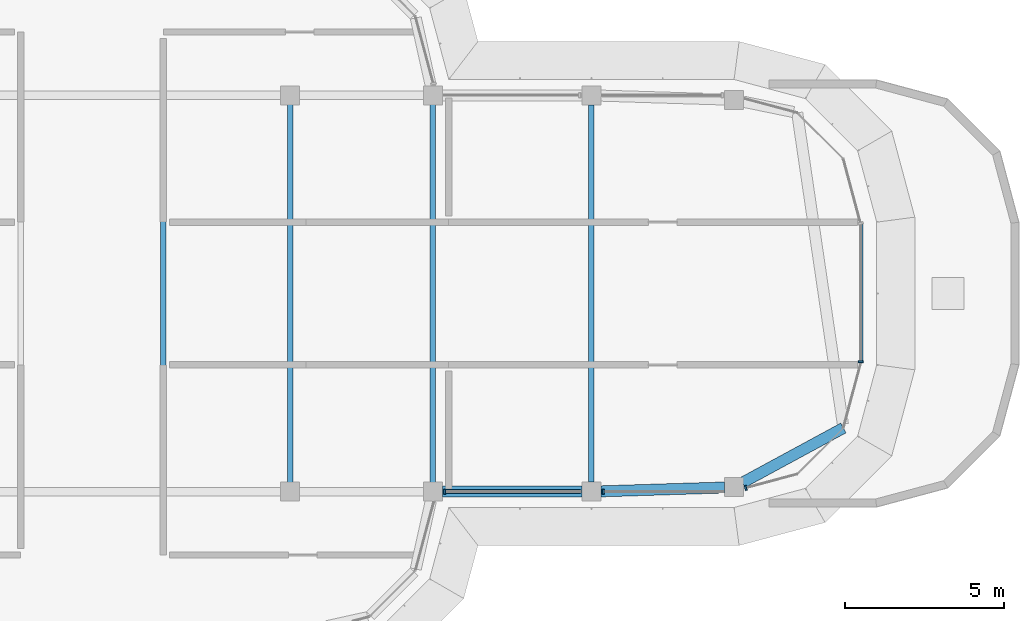
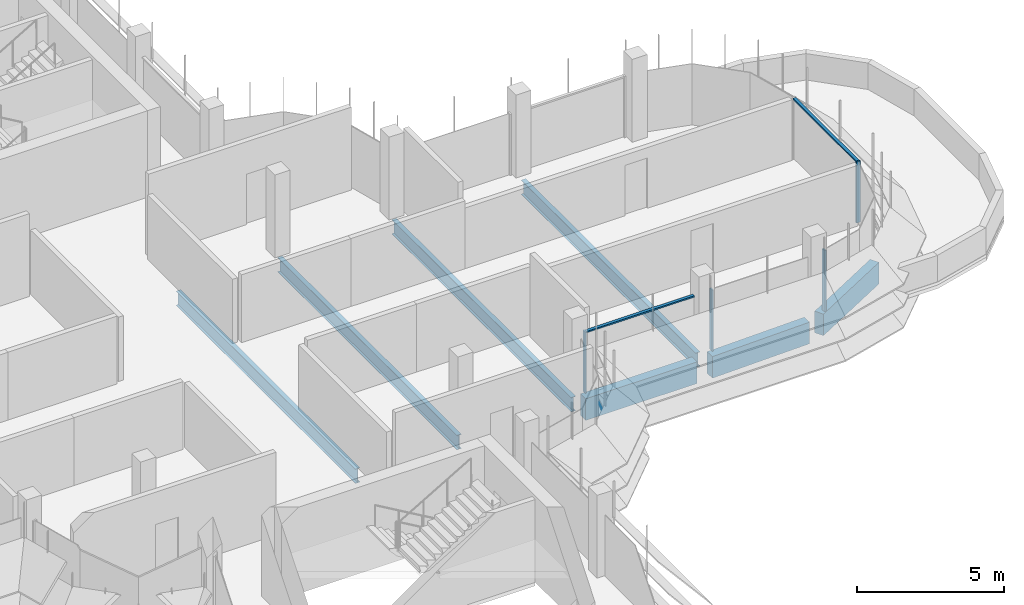
# One storey, part 5 of 20: 7 beams, 6 members, 3 elements without a shape of their own.
"""IFC4 building model written with IfcOpenShell, lengths in metres."""

from ifc_helpers import new_model, si_unit, direction, frame, origin, origin_2d, place, context, subcontext, project, spatial, polyline, rectangle, i_section, outline, extrude, source, transform, mapped, material, material_profile, profile_set, type_object, element, aggregate, save


model = new_model("IFC4")

# Units and contexts
model_context = context("Model", 3, precision=1e-05, world=origin(), true_north=direction((0.0, 1.0)))
body_context = subcontext(model_context, "Body", "Model", "MODEL_VIEW")
ifc_project = project(units=[si_unit("LENGTHUNIT", "METRE"), si_unit("AREAUNIT", "SQUARE_METRE"), si_unit("VOLUMEUNIT", "CUBIC_METRE"), si_unit("PLANEANGLEUNIT", "RADIAN"), si_unit("MASSUNIT", "GRAM", prefix="KILO")], contexts=[model_context])

# Site, building, storey
site_placement = place(None, origin())
site = spatial("IfcSite", under=ifc_project, at=site_placement, CompositionType="ELEMENT")
building_placement = place(site_placement, origin())
building = spatial("IfcBuilding", under=site, at=building_placement, Name="Zarbagh Exchange Tower", CompositionType="ELEMENT")
storey_placement = place(building_placement, frame((0.0, 0.0, 291.60009765625)))
storey = spatial("IfcBuildingStorey", under=building, at=storey_placement, Name="L71", CompositionType="ELEMENT", Elevation=291.60009765625)

# Beams
ifc_material_1 = material(Name="Steel ASTM A992 Gr 50", Category="steel")
ifc_material_profile_1 = material_profile(ifc_material_1, i_section(OverallWidth=0.1787109375, OverallDepth=0.60205078125, WebThickness=0.010986328125, FlangeThickness=0.014892578125, at=origin_2d()), Name="W24X62")
ifc_profile_set_1 = profile_set([ifc_material_profile_1], Name="Steel ASTM A992 Gr 50")
beam_type_1 = type_object("IfcBeamType", Name="Floor beam W24X62", PredefinedType="BEAM", material=ifc_profile_set_1)
for number, where, z_axis, x_axis, name in (
    (1, (2.25, -6.117919921875, -0.451171875), (0.0, 1.0, 0.0), (-1.0, 0.0, 0.0), "Steel floor beam"),
    (2, (6.25, -6.117919921875, -0.451171875), (0.0, 1.0, 0.0), (-1.0, 0.0, 0.0), "Steel floor beam"),
    (3, (10.75, -6.117919921875, -0.451171875), (0.0, 1.0, 0.0), (-1.0, 0.0, 0.0), "Steel floor beam"),
):
    element("IfcBeam", number, at=place(storey_placement, frame(where, z_axis=z_axis, x_axis=x_axis)), inside=storey, type_object=beam_type_1, Name=name, PredefinedType="BEAM", context=body_context, shape_type="SweptSolid", body=[
        extrude(i_section(OverallWidth=0.1787109375, OverallDepth=0.60205078125, WebThickness=0.010986328125, FlangeThickness=0.014892578125, at=origin_2d()), origin(), (0.0, 0.0, 1.0), 12.23583984375),
    ])
beam_1_placement = place(storey_placement, frame((15.75, -5.949951171875, -0.451171875), z_axis=(0.0, 1.0, 0.0), x_axis=(-1.0, 0.0, 0.0)))
element("IfcBeam", 4, at=beam_1_placement, inside=storey, type_object=beam_type_1, Name="Steel floor beam", PredefinedType="BEAM", context=body_context, shape_type="SweptSolid", body=[
    extrude(i_section(OverallWidth=0.1787109375, OverallDepth=0.60205078125, WebThickness=0.010986328125, FlangeThickness=0.014892578125, at=origin_2d()), origin(), (0.0, 0.0, 1.0), 11.89990234375),
])
ifc_material_2 = material(Name="Concrete C40/50", Category="concrete")
ifc_material_profile_2 = material_profile(ifc_material_2, rectangle(XDim=0.35009765625, YDim=0.89990234375, at=origin_2d()), Name="RC spandrel beam 350 x 900 C40/50")
ifc_profile_set_2 = profile_set([ifc_material_profile_2], Name="Concrete C40/50")
beam_type_2 = type_object("IfcBeamType", Name="RC spandrel beam 350 x 900 C40/50", PredefinedType="SPANDREL", material=ifc_profile_set_2)
beam_2_placement = place(storey_placement, frame((23.69873046875, -4.2412109375, -0.60009765625), z_axis=(-0.879208451731, -0.476437297454, 0.0), x_axis=(0.476437297454, -0.879208451731, 0.0)))
element("IfcBeam", 5, at=beam_2_placement, inside=storey, type_object=beam_type_2, Name="RC spandrel beam", PredefinedType="SPANDREL", context=body_context, shape_type="SweptSolid", body=[
    extrude(rectangle(XDim=0.35009765625, YDim=0.89990234375, at=origin_2d()), origin(), (0.0, 0.0, 1.0), 3.622314453125),
])
beam_3_placement = place(storey_placement, frame((19.9501953125, -6.119384765625, -0.60009765625), z_axis=(-0.999516460907, -0.031094121249, 0.0), x_axis=(0.031094121249, -0.999516460907, 0.0)))
element("IfcBeam", 6, at=beam_3_placement, inside=storey, type_object=beam_type_2, Name="RC spandrel beam", PredefinedType="SPANDREL", context=body_context, shape_type="SweptSolid", body=[
    extrude(rectangle(XDim=0.35009765625, YDim=0.89990234375, at=origin_2d()), origin(), (0.0, 0.0, 1.0), 3.90234375),
])
beam_4_placement = place(storey_placement, frame((15.449951171875, -6.25, -0.60009765625), z_axis=(-1.0, 0.0, 0.0), x_axis=(0.0, -1.0, 0.0)))
element("IfcBeam", 7, at=beam_4_placement, inside=storey, type_object=beam_type_2, Name="RC spandrel beam", PredefinedType="SPANDREL", context=body_context, shape_type="SweptSolid", body=[
    extrude(rectangle(XDim=0.35009765625, YDim=0.89990234375, at=origin_2d()), origin(), (0.0, 0.0, 1.0), 4.39990234375),
])

# Curtain wall, member
ifc_material_3 = material(Name="Anodised aluminium frame and glazing", Category="aluminium")
curtain_wall_type = type_object("IfcCurtainWallType", Name="CWF Crown tier glazing", PredefinedType="NOTDEFINED", material=ifc_material_3)
curtain_wall_1_placement = place(storey_placement, origin())
curtain_wall_1 = element("IfcCurtainWall", 8, at=curtain_wall_1_placement, inside=storey, type_object=curtain_wall_type, Name="CWF12 curtain wall", PredefinedType="NOTDEFINED")
ifc_material_4 = material(Name="Anodised aluminium frame", Category="aluminium")
member_type_1 = type_object("IfcMemberType", Name="TRF Transom, anodised aluminium frame", PredefinedType="USERDEFINED", material=ifc_material_4)
shared_shape_1 = source(origin(), body_context, "Body", "SweptSolid", [
    extrude(outline(polyline([(-0.06005859375, -0.06005859375), (0.0, -0.06005859375), (0.0, 0.06005859375), (-0.06005859375, 0.06005859375), (-0.06005859375, -0.06005859375)])), origin(), (0.0, 0.0, 1.0), 4.308349609375),
])
placement = place(storey_placement, origin())
member_1 = element("IfcMember", 9, at=placement, type_object=member_type_1, Name="CWF12 transom 1.1", ObjectType="TRANSOM", PredefinedType="USERDEFINED", context=body_context, shape_type="MappedRepresentation", body=[
    mapped(shared_shape_1, transform((24.25, -2.124267578125, 2.5498046875), x_axis=(0.0, 0.0, 1.0), y_axis=(1.0, 0.0, 0.0), z_axis=(0.0, 1.0, 0.0))),
])

# Curtain wall, members
curtain_wall_2_placement = place(storey_placement, origin())
curtain_wall_2 = element("IfcCurtainWall", 10, at=curtain_wall_2_placement, inside=storey, type_object=curtain_wall_type, Name="CWF08 curtain wall", PredefinedType="NOTDEFINED")
shared_shape_2 = source(origin(), body_context, "Body", "SweptSolid", [
    extrude(outline(polyline([(-0.06005859375, -0.06005859375), (0.0, -0.06005859375), (0.0, 0.06005859375), (-0.06005859375, 0.06005859375), (-0.06005859375, -0.06005859375)])), origin(), (0.0, 0.0, 1.0), 4.260009765625),
])
member_2 = element("IfcMember", 11, at=placement, type_object=member_type_1, Name="CWF08 transom 1.1", ObjectType="TRANSOM", PredefinedType="USERDEFINED", context=body_context, shape_type="MappedRepresentation", body=[
    mapped(shared_shape_2, transform((11.150146484375, -6.25, 2.5498046875), x_axis=(0.0, 0.0, 1.0), y_axis=(0.0, -1.0, 0.0), z_axis=(1.0, 0.0, 0.0))),
])
member_type_2 = type_object("IfcMemberType", Name="MUF Mullion, anodised aluminium frame", PredefinedType="MULLION", material=ifc_material_4)
shared_shape_3 = source(origin(), body_context, "Body", "SweptSolid", [
    extrude(outline(polyline([(0.0, -0.080078125), (0.06005859375, -0.080078125), (0.06005859375, 0.080078125), (0.0, 0.080078125), (0.0, -0.080078125)])), origin(), (0.0, 0.0, 1.0), 2.550048828125),
])
member_3 = element("IfcMember", 12, at=placement, type_object=member_type_2, Name="CWF08 mullion 1.1", PredefinedType="MULLION", context=body_context, shape_type="MappedRepresentation", body=[
    mapped(shared_shape_3, transform((11.090087890625, -6.25, 0.0), x_axis=(1.0, 0.0, 0.0), y_axis=(0.0, 1.0, 0.0), z_axis=(0.0, 0.0, 1.0))),
])
member_4 = element("IfcMember", 13, at=placement, type_object=member_type_2, Name="CWF08 mullion 2.1", PredefinedType="MULLION", context=body_context, shape_type="MappedRepresentation", body=[
    mapped(shared_shape_3, transform((16.090087890625, -6.25, 0.0), x_axis=(1.0, 0.0, 0.0), y_axis=(0.0, 1.0, 0.0), z_axis=(0.0, 0.0, 1.0))),
])
aggregate(curtain_wall_2, [member_3, member_2, member_4])

# Curtain wall, member
curtain_wall_3_placement = place(storey_placement, origin())
curtain_wall_3 = element("IfcCurtainWall", 14, at=curtain_wall_3_placement, inside=storey, type_object=curtain_wall_type, Name="CWF09 curtain wall", PredefinedType="NOTDEFINED")
member_5 = element("IfcMember", 15, at=placement, type_object=member_type_2, Name="CWF09 mullion 1.1", PredefinedType="MULLION", context=body_context, shape_type="MappedRepresentation", body=[
    mapped(shared_shape_3, transform((20.58984375, -6.141357421875, 0.0), x_axis=(0.965924289636, 0.258824779902, 0.0), y_axis=(-0.258824779902, 0.965924289636, 0.0), z_axis=(0.0, 0.0, 1.0))),
])
aggregate(curtain_wall_3, [member_5])

# Member
member_6 = element("IfcMember", 16, at=placement, type_object=member_type_2, Name="CWF12 mullion 1.1", PredefinedType="MULLION", context=body_context, shape_type="MappedRepresentation", body=[
    mapped(shared_shape_3, transform((24.25, -2.18408203125, 0.0), x_axis=(0.0, 1.0, 0.0), y_axis=(-1.0, 0.0, 0.0), z_axis=(0.0, 0.0, 1.0))),
])

aggregate(curtain_wall_1, [member_6, member_1])

save(model, "model.ifc")
